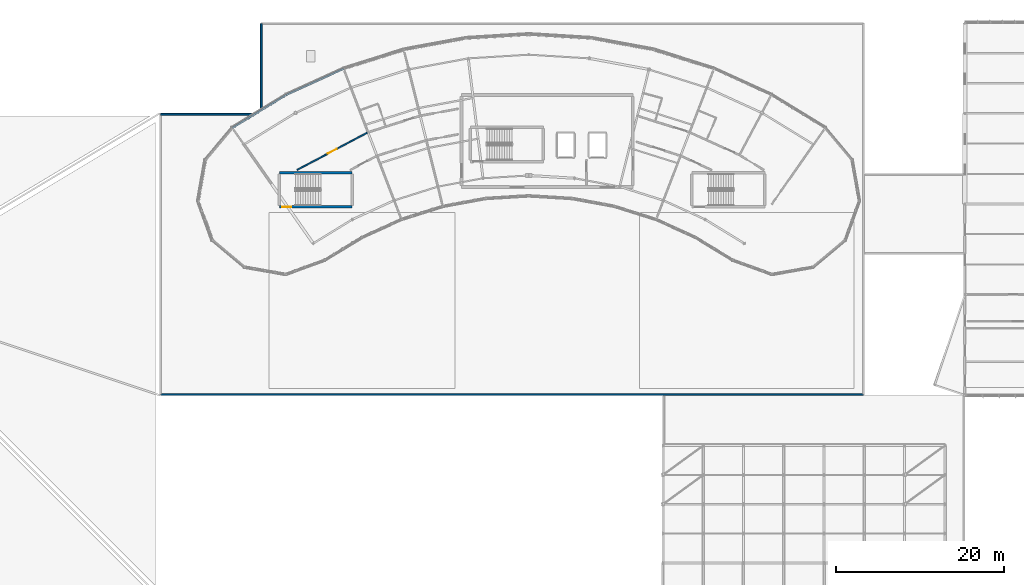
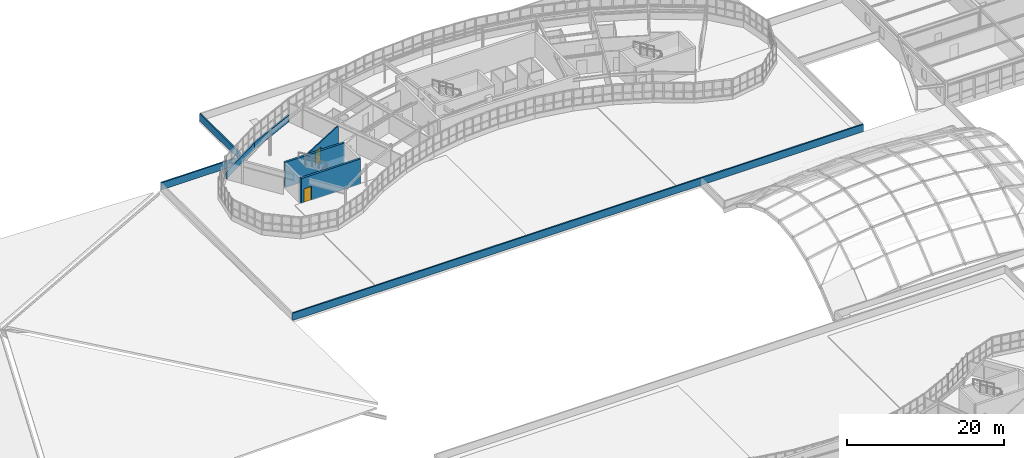
# One storey, part 105 of 128: 8 walls, 2 doors, 2 openings.
"""IFC4 building model written with IfcOpenShell, lengths in metres."""

from ifc_helpers import new_model, si_unit, direction, frame, frame_2d, origin, place, context, subcontext, project, spatial, rectangle, extrude, material, layer, layer_set, type_object, element, fill, save


model = new_model("IFC4")

# Units and contexts
model_context = context("Model", 3, precision=1e-05, world=origin(), true_north=direction((0.0, 1.0)))
body_context = subcontext(model_context, "Body", "Model", "MODEL_VIEW")
ifc_project = project(units=[si_unit("LENGTHUNIT", "METRE"), si_unit("AREAUNIT", "SQUARE_METRE"), si_unit("VOLUMEUNIT", "CUBIC_METRE"), si_unit("PLANEANGLEUNIT", "RADIAN"), si_unit("MASSUNIT", "GRAM", prefix="KILO")], contexts=[model_context])

# Site, building, storey
site_placement = place(None, origin())
site = spatial("IfcSite", under=ifc_project, at=site_placement, CompositionType="ELEMENT")
building_placement = place(site_placement, origin())
building = spatial("IfcBuilding", under=site, at=building_placement, Name="Tarnwether General Hospital", CompositionType="ELEMENT")
storey_placement = place(building_placement, frame((0.0, 0.0, 14.39990234375)))
storey = spatial("IfcBuildingStorey", under=building, at=storey_placement, Name="L03", CompositionType="ELEMENT", Elevation=14.39990234375)

# Walls
ifc_material_1 = material(Name="Streamlined white enamelled aluminium", Category="aluminium")
ifc_layer_1 = layer(ifc_material_1, 0.219970703125)
ifc_layer_set_1 = layer_set([ifc_layer_1], Name="Streamlined white enamelled aluminium")
wall_type_1 = type_object("IfcWallType", Name="WL-EX220", PredefinedType="STANDARD", material=ifc_layer_set_1)
wall_1_placement = place(storey_placement, frame((63.0810546875, 117.389892578125, 0.0), z_axis=(0.0, 0.0, 1.0), x_axis=(0.909953604353, 0.414710064895, 0.0)))
element("IfcWall", 1, at=wall_1_placement, inside=storey, type_object=wall_type_1, Name="Ward NW Streamlined White Spandrel EW-L03-0030", PredefinedType="STANDARD", context=body_context, shape_type="SweptSolid", body=[
    extrude(rectangle(XDim=7.521240234375, YDim=0.219970703125, at=frame_2d((3.7607421875, 0.0))), origin(), (0.0, 0.0, 1.0), 1.050048828125),
])
wall_2_placement = place(storey_placement, frame((56.66796875, 113.4599609375, 0.0), z_axis=(0.0, 0.0, 1.0), x_axis=(0.852640903338, 0.522497358803, 0.0)))
element("IfcWall", 2, at=wall_2_placement, inside=storey, type_object=wall_type_1, Name="Ward NW Streamlined White Spandrel EW-L03-0031", PredefinedType="STANDARD", context=body_context, shape_type="SweptSolid", body=[
    extrude(rectangle(XDim=7.521484375, YDim=0.219970703125, at=frame_2d((3.7607421875, 0.0))), origin(), (0.0, 0.0, 1.0), 1.050048828125),
])
ifc_material_2 = material(Name="Precast concrete 40 MPa", Category="concrete")
ifc_layer_2 = layer(ifc_material_2, 0.199951171875)
ifc_layer_set_2 = layer_set([ifc_layer_2], Name="Precast concrete 40 MPa")
wall_type_2 = type_object("IfcWallType", Name="WL-PR200", PredefinedType="PARAPET", material=ifc_layer_set_2)
wall_3_placement = place(storey_placement, frame((60.10009765625, 115.739990234375, 0.330078125), z_axis=(0.0, 0.0, 1.0), x_axis=(0.0, 1.0, 0.0)))
element("IfcWall", 3, at=wall_3_placement, inside=storey, type_object=wall_type_2, Name="Flat Roof Parapet EW-L03-0349", PredefinedType="PARAPET", context=body_context, shape_type="SweptSolid", body=[
    extrude(rectangle(XDim=10.159912109375, YDim=0.199951171875, at=frame_2d((5.080078125, 0.0))), origin(), (0.0, 0.0, 1.0), 1.1201171875),
])
wall_4_placement = place(storey_placement, frame((131.89990234375, 81.699951171875, 0.330078125), z_axis=(0.0, 0.0, 1.0), x_axis=(-1.0, 0.0, 0.0)))
element("IfcWall", 4, at=wall_4_placement, inside=storey, type_object=wall_type_2, Name="Flat Roof Parapet EW-L03-0352", PredefinedType="PARAPET", context=body_context, shape_type="SweptSolid", body=[
    extrude(rectangle(XDim=83.7998046875, YDim=0.199951171875, at=frame_2d((41.89990234375, 0.0))), origin(), (0.0, 0.0, 1.0), 1.1201171875),
])
wall_5_placement = place(storey_placement, frame((48.10009765625, 115.10009765625, 0.330078125), z_axis=(0.0, 0.0, 1.0), x_axis=(1.0, 0.0, 0.0)))
element("IfcWall", 5, at=wall_5_placement, inside=storey, type_object=wall_type_2, Name="Flat Roof Parapet EW-L03-0354", PredefinedType="PARAPET", context=body_context, shape_type="SweptSolid", body=[
    extrude(rectangle(XDim=10.956787109375, YDim=0.199951171875, at=frame_2d((5.478515625, 0.0))), origin(), (0.0, 0.0, 1.0), 1.1201171875),
])

# Wall, opening, door
ifc_material_3 = material(Name="Gypsum plasterboard")
ifc_layer_3 = layer(ifc_material_3, 0.159912109375)
ifc_layer_set_3 = layer_set([ifc_layer_3], Name="Gypsum plasterboard")
wall_type_3 = type_object("IfcWallType", Name="WL-PT160", PredefinedType="PARTITIONING", material=ifc_layer_set_3)
wall_6_placement = place(storey_placement, frame((64.388916015625, 108.4599609375, 0.0), z_axis=(0.0, 0.0, 1.0), x_axis=(0.882925792416, 0.46951256116, 0.0)))
wall_6 = element("IfcWall", 6, at=wall_6_placement, inside=storey, type_object=wall_type_3, Name="Interior Partition PT-L03-0302", PredefinedType="PARTITIONING", context=body_context, shape_type="SweptSolid", body=[
    extrude(rectangle(XDim=9.556884765625, YDim=0.159912109375, at=frame_2d((4.7783203125, 0.0))), origin(), (0.0, 0.0, 1.0), 2.93310546875),
])
opening_1_placement = place(wall_6_placement, frame((4.12890625, 0.0, 0.0)))
opening_1 = element("IfcOpeningElement", 7, at=opening_1_placement, cuts=wall_6, Name="Opening D-05", PredefinedType="OPENING", context=body_context, shape_type="SweptSolid", body=[
    extrude(rectangle(XDim=1.199951171875, YDim=2.1201171875, at=frame_2d((0.60009765625, 1.06005859375))), frame((0.0, 0.08984375, 0.0), z_axis=(0.0, -1.0, 0.0), x_axis=(1.0, 0.0, 0.0)), (0.0, 0.0, 1.0), 0.179931640625),
])
ifc_material_4 = material(Name="Anodised aluminium", Category="aluminium")
door_type_1 = type_object("IfcDoorType", Name="DR-IN05", OperationType="NOTDEFINED", PredefinedType="DOOR", material=ifc_material_4)
door_1_placement = place(opening_1_placement, origin())
door_1 = element("IfcDoor", 8, at=door_1_placement, inside=storey, type_object=door_type_1, Name="Interior Door DR-L03-0168", OperationType="SINGLE_SWING_RIGHT", OverallHeight=2.1201171875, OverallWidth=1.199951171875, PredefinedType="DOOR", context=body_context, shape_type="SweptSolid", body=[
    extrude(rectangle(XDim=1.199951171875, YDim=2.1201171875, at=frame_2d((0.60009765625, 1.06005859375))), frame((0.0, 0.02490234375, 0.0), z_axis=(0.0, -1.0, 0.0), x_axis=(1.0, 0.0, 0.0)), (0.0, 0.0, 1.0), 0.050048828125),
])
fill(opening_1, door_1)

ifc_material_5 = material(Name="Concrete 50 MPa", Category="concrete")
ifc_layer_4 = layer(ifc_material_5, 0.300048828125)
ifc_layer_set_4 = layer_set([ifc_layer_4], Name="Concrete 50 MPa")
wall_type_4 = type_object("IfcWallType", Name="WL-SW300", PredefinedType="SHEAR", material=ifc_layer_set_4)
wall_7_placement = place(storey_placement, frame((62.25, 104.050048828125, 0.0), z_axis=(0.0, 0.0, 1.0), x_axis=(1.0, 0.0, 0.0)))
wall_7 = element("IfcWall", 9, at=wall_7_placement, inside=storey, type_object=wall_type_4, Name="Stairwell Shear Wall STW-ST-07-L03-B", PredefinedType="SHEAR", context=body_context, shape_type="SweptSolid", body=[
    extrude(rectangle(XDim=8.699951171875, YDim=0.300048828125, at=frame_2d((4.35009765625, 0.0))), origin(), (0.0, 0.0, 1.0), 3.900146484375),
])
opening_2_placement = place(wall_7_placement, frame((0.35009765625, 0.0, 0.0)))
opening_2 = element("IfcOpeningElement", 10, at=opening_2_placement, cuts=wall_7, Name="Opening FD-06", PredefinedType="OPENING", context=body_context, shape_type="SweptSolid", body=[
    extrude(rectangle(XDim=1.10009765625, YDim=2.14990234375, at=frame_2d((0.550048828125, 1.074951171875))), frame((0.0, 0.16015625, 0.0), z_axis=(0.0, -1.0, 0.0), x_axis=(1.0, 0.0, 0.0)), (0.0, 0.0, 1.0), 0.320068359375),
])
ifc_material_6 = material(Name="Anodised aluminium", Category="aluminium")
door_type_2 = type_object("IfcDoorType", Name="DR-FD06", OperationType="NOTDEFINED", PredefinedType="DOOR", material=ifc_material_6)
door_2_placement = place(opening_2_placement, origin())
door_2 = element("IfcDoor", 11, at=door_2_placement, inside=storey, type_object=door_type_2, Name="Stairwell ST-07 Safe-Path Fire Door L03", OperationType="SINGLE_SWING_LEFT", OverallHeight=2.14990234375, OverallWidth=1.10009765625, PredefinedType="DOOR", context=body_context, shape_type="SweptSolid", body=[
    extrude(rectangle(XDim=1.10009765625, YDim=2.14990234375, at=frame_2d((0.550048828125, 1.074951171875))), frame((0.0, 0.02490234375, 0.0), z_axis=(0.0, -1.0, 0.0), x_axis=(1.0, 0.0, 0.0)), (0.0, 0.0, 1.0), 0.050048828125),
])
fill(opening_2, door_2)

# Wall
wall_8_placement = place(storey_placement, frame((70.949951171875, 108.14990234375, 0.0), z_axis=(0.0, 0.0, 1.0), x_axis=(-1.0, 0.0, 0.0)))
element("IfcWall", 12, at=wall_8_placement, inside=storey, type_object=wall_type_4, Name="Stairwell Shear Wall STW-ST-07-L03-N", PredefinedType="SHEAR", context=body_context, shape_type="SweptSolid", body=[
    extrude(rectangle(XDim=8.699951171875, YDim=0.300048828125, at=frame_2d((4.35009765625, 0.0))), origin(), (0.0, 0.0, 1.0), 3.900146484375),
])

save(model, "model.ifc")
